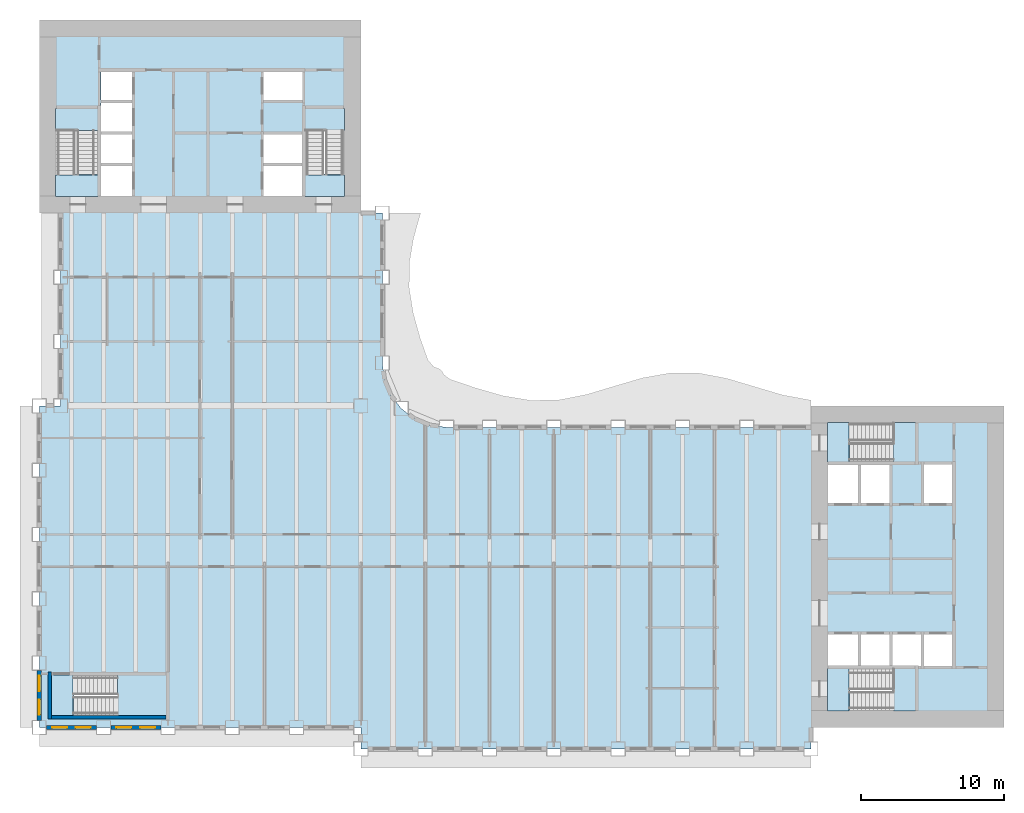
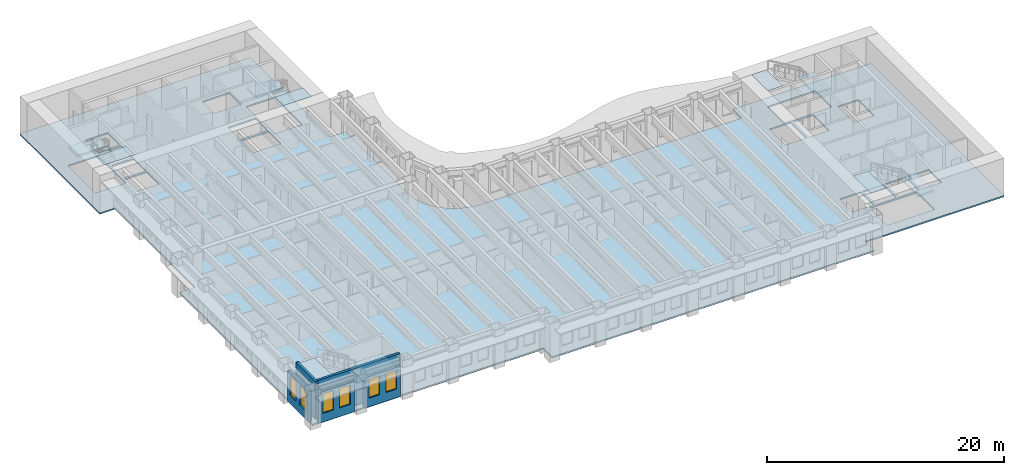
# One storey, part 2 of 16: 11 slabs, 6 windows, 5 walls, 6 openings, 5 elements without a shape of their own.
"""IFC4 building model written with IfcOpenShell, lengths in metres."""

from ifc_helpers import new_model, si_unit, direction, frame, frame_2d, origin, place, context, subcontext, project, spatial, polyline, rectangle, outline, extrude, material, layer, layer_set, type_object, element, fill, aggregate, save


model = new_model("IFC4")

# Units and contexts
model_context = context("Model", 3, precision=1e-05, world=origin(), true_north=direction((0.0, 1.0)))
body_context = subcontext(model_context, "Body", "Model", "MODEL_VIEW")
ifc_project = project(units=[si_unit("LENGTHUNIT", "METRE"), si_unit("AREAUNIT", "SQUARE_METRE"), si_unit("VOLUMEUNIT", "CUBIC_METRE"), si_unit("PLANEANGLEUNIT", "RADIAN"), si_unit("MASSUNIT", "GRAM", prefix="KILO")], contexts=[model_context])

# Site, building, storey
site_placement = place(None, origin())
site = spatial("IfcSite", under=ifc_project, at=site_placement, CompositionType="ELEMENT")
building_placement = place(site_placement, origin())
building = spatial("IfcBuilding", under=site, at=building_placement, Name="Sennacour Bend Tower", CompositionType="ELEMENT")
storey_placement = place(building_placement, frame((0.0, 0.0, 87.0)))
storey = spatial("IfcBuildingStorey", under=building, at=storey_placement, Name="L19", CompositionType="ELEMENT", Elevation=87.0)

# Slabs
ifc_material_1 = material(Name="Concrete C30/37", Category="concrete")
ifc_layer_1 = layer(ifc_material_1, 0.14990234375, Name="Concrete C30/37", Category="concrete")
ifc_layer_set_1 = layer_set([ifc_layer_1], Name="Concrete C30/37")
slab_type_1 = type_object("IfcSlabType", Name="Floor slab 150", PredefinedType="FLOOR", material=ifc_layer_set_1)
slab_1_placement = place(storey_placement, frame((0.0, 0.0, -0.14990234375)))
element("IfcSlab", 1, at=slab_1_placement, inside=storey, type_object=slab_type_1, Name="Floor slab L19-01", PredefinedType="FLOOR", context=body_context, shape_type="SweptSolid", body=[
    extrude(outline(polyline([(22.5, 0.0), (0.0, 0.0), (0.0, 22.5), (1.5, 22.5), (1.5, 36.0), (0.0, 36.0), (0.0, 49.5), (22.5, 49.5), (22.5, 36.0), (24.0, 36.0), (24.0, 25.5), (24.1533203125, 24.335205078125), (24.602783203125, 23.25), (25.318115234375, 22.318115234375), (26.25, 21.602783203125), (27.335205078125, 21.1533203125), (28.5, 21.0), (54.0, 21.0), (54.0, 22.5), (67.5, 22.5), (67.5, 0.0), (54.0, 0.0), (54.0, -1.5), (22.5, -1.5), (22.5, 0.0)]), holes=[polyline([(8.800048828125, 0.949951171875), (8.800048828125, 3.5), (2.429931640625, 3.5), (2.429931640625, 0.949951171875), (8.800048828125, 0.949951171875)]), polyline([(6.5, 37.199951171875), (6.5, 39.300048828125), (4.300048828125, 39.300048828125), (4.300048828125, 37.199951171875), (6.5, 37.199951171875)]), polyline([(18.39990234375, 37.199951171875), (18.39990234375, 39.300048828125), (15.699951171875, 39.300048828125), (15.699951171875, 37.199951171875), (18.39990234375, 37.199951171875)]), polyline([(6.5, 39.5), (6.5, 41.5), (4.300048828125, 41.5), (4.300048828125, 39.5), (6.5, 39.5)]), polyline([(18.39990234375, 39.5), (18.39990234375, 41.5), (15.699951171875, 41.5), (15.699951171875, 39.5), (18.39990234375, 39.5)]), polyline([(4.125, 38.72998046875), (4.125, 43.39990234375), (1.14990234375, 43.39990234375), (1.14990234375, 38.72998046875), (4.125, 38.72998046875)]), polyline([(21.35009765625, 38.72998046875), (21.35009765625, 43.39990234375), (18.574951171875, 43.39990234375), (18.574951171875, 38.72998046875), (21.35009765625, 38.72998046875)]), polyline([(4.300048828125, 41.699951171875), (6.5, 41.699951171875), (6.5, 43.699951171875), (4.300048828125, 43.699951171875), (4.300048828125, 41.699951171875)]), polyline([(4.300048828125, 43.89990234375), (6.5, 43.89990234375), (6.5, 45.89990234375), (4.300048828125, 45.89990234375), (4.300048828125, 43.89990234375)]), polyline([(18.39990234375, 43.89990234375), (18.39990234375, 45.89990234375), (15.699951171875, 45.89990234375), (15.699951171875, 43.89990234375), (18.39990234375, 43.89990234375)]), polyline([(61.39990234375, 1.14990234375), (61.39990234375, 4.125), (56.72998046875, 4.125), (56.72998046875, 1.14990234375), (61.39990234375, 1.14990234375)]), polyline([(57.300048828125, 4.300048828125), (57.300048828125, 6.5), (55.199951171875, 6.5), (55.199951171875, 4.300048828125), (57.300048828125, 4.300048828125)]), polyline([(57.5, 4.300048828125), (59.5, 4.300048828125), (59.5, 6.5), (57.5, 6.5), (57.5, 4.300048828125)]), polyline([(59.699951171875, 4.300048828125), (61.699951171875, 4.300048828125), (61.699951171875, 6.5), (59.699951171875, 6.5), (59.699951171875, 4.300048828125)]), polyline([(63.89990234375, 4.300048828125), (63.89990234375, 6.5), (61.89990234375, 6.5), (61.89990234375, 4.300048828125), (63.89990234375, 4.300048828125)]), polyline([(57.300048828125, 15.699951171875), (57.300048828125, 18.39990234375), (55.199951171875, 18.39990234375), (55.199951171875, 15.699951171875), (57.300048828125, 15.699951171875)]), polyline([(59.5, 15.699951171875), (59.5, 18.39990234375), (57.5, 18.39990234375), (57.5, 15.699951171875), (59.5, 15.699951171875)]), polyline([(61.89990234375, 15.699951171875), (63.89990234375, 15.699951171875), (63.89990234375, 18.39990234375), (61.89990234375, 18.39990234375), (61.89990234375, 15.699951171875)]), polyline([(56.72998046875, 18.574951171875), (61.39990234375, 18.574951171875), (61.39990234375, 21.35009765625), (56.72998046875, 21.35009765625), (56.72998046875, 18.574951171875)])]), origin(), (0.0, 0.0, 1.0), 0.14990234375),
])
ifc_material_2 = material(Name="Concrete C40/50", Category="concrete")
ifc_layer_2 = layer(ifc_material_2, 0.034912109375, Name="Concrete C40/50", Category="concrete")
ifc_layer_set_2 = layer_set([ifc_layer_2], Name="Concrete C40/50")
slab_type_2 = type_object("IfcSlabType", Name="Stair arrival nib 35", PredefinedType="FLOOR", material=ifc_layer_set_2)
slab_2_placement = place(storey_placement, frame((0.0, 0.0, 3.815185546875)))
element("IfcSlab", 2, at=slab_2_placement, inside=storey, type_object=slab_type_2, Name="L19 SA1 stair arrival nib", PredefinedType="FLOOR", context=body_context, shape_type="SweptSolid", body=[
    extrude(outline(polyline([(56.64208984375, 4.125), (55.14990234375, 4.125), (55.14990234375, 1.14990234375), (56.64208984375, 1.14990234375), (56.64208984375, 4.125)])), origin(), (0.0, 0.0, 1.0), 0.034912109375),
])
slab_3_placement = place(storey_placement, frame((0.0, 0.0, 3.815185546875)))
element("IfcSlab", 3, at=slab_3_placement, inside=storey, type_object=slab_type_2, Name="L19 SA2 stair arrival nib", PredefinedType="FLOOR", context=body_context, shape_type="SweptSolid", body=[
    extrude(outline(polyline([(56.64208984375, 21.35009765625), (55.14990234375, 21.35009765625), (55.14990234375, 18.574951171875), (56.64208984375, 18.574951171875), (56.64208984375, 21.35009765625)])), origin(), (0.0, 0.0, 1.0), 0.034912109375),
])
slab_4_placement = place(storey_placement, frame((0.0, 0.0, 3.815185546875)))
element("IfcSlab", 4, at=slab_4_placement, inside=storey, type_object=slab_type_2, Name="L19 SB1 stair arrival nib", PredefinedType="FLOOR", context=body_context, shape_type="SweptSolid", body=[
    extrude(outline(polyline([(1.14990234375, 38.64208984375), (1.14990234375, 37.14990234375), (4.125, 37.14990234375), (4.125, 38.64208984375), (1.14990234375, 38.64208984375)])), origin(), (0.0, 0.0, 1.0), 0.034912109375),
])
slab_5_placement = place(storey_placement, frame((0.0, 0.0, 3.815185546875)))
element("IfcSlab", 5, at=slab_5_placement, inside=storey, type_object=slab_type_2, Name="L19 SB2 stair arrival nib", PredefinedType="FLOOR", context=body_context, shape_type="SweptSolid", body=[
    extrude(outline(polyline([(18.574951171875, 38.64208984375), (18.574951171875, 37.14990234375), (21.35009765625, 37.14990234375), (21.35009765625, 38.64208984375), (18.574951171875, 38.64208984375)])), origin(), (0.0, 0.0, 1.0), 0.034912109375),
])
slab_6_placement = place(storey_placement, frame((0.0, 0.0, 3.815185546875)))
element("IfcSlab", 6, at=slab_6_placement, inside=storey, type_object=slab_type_2, Name="L19 SK1 stair arrival nib", PredefinedType="FLOOR", context=body_context, shape_type="SweptSolid", body=[
    extrude(outline(polyline([(2.342041015625, 3.675048828125), (0.800048828125, 3.675048828125), (0.800048828125, 0.800048828125), (2.342041015625, 0.800048828125), (2.342041015625, 3.675048828125)])), origin(), (0.0, 0.0, 1.0), 0.034912109375),
])

# Stair, slab
stair_type = type_object("IfcStairType", Name="ST-DOGLEG", PredefinedType="HALF_TURN_STAIR", material=ifc_material_2)
stair_1_placement = place(storey_placement, origin())
stair_1 = element("IfcStair", 7, at=stair_1_placement, inside=storey, type_object=stair_type, Name="L19 Exit stair A1", PredefinedType="HALF_TURN_STAIR")
ifc_layer_3 = layer(ifc_material_2, 0.199951171875, Name="Concrete C40/50", Category="concrete")
ifc_layer_set_3 = layer_set([ifc_layer_3], Name="Concrete C40/50")
slab_type_3 = type_object("IfcSlabType", Name="Stair landing 200", PredefinedType="LANDING", material=ifc_layer_set_3)
slab_7_placement = place(storey_placement, frame((0.0, 0.0, 1.800048828125)))
slab_7 = element("IfcSlab", 8, at=slab_7_placement, type_object=slab_type_3, Name="SA1 landing 1", PredefinedType="LANDING", context=body_context, shape_type="SweptSolid", body=[
    extrude(outline(polyline([(59.780029296875, 1.14990234375), (61.324951171875, 1.14990234375), (61.324951171875, 4.125), (59.780029296875, 4.125), (59.780029296875, 1.14990234375)])), origin(), (0.0, 0.0, 1.0), 0.199951171875),
])
aggregate(stair_1, [slab_7])

stair_2_placement = place(storey_placement, origin())
stair_2 = element("IfcStair", 9, at=stair_2_placement, inside=storey, type_object=stair_type, Name="L19 Exit stair A2", PredefinedType="HALF_TURN_STAIR")
slab_8_placement = place(storey_placement, frame((0.0, 0.0, 1.800048828125)))
slab_8 = element("IfcSlab", 10, at=slab_8_placement, type_object=slab_type_3, Name="SA2 landing 1", PredefinedType="LANDING", context=body_context, shape_type="SweptSolid", body=[
    extrude(outline(polyline([(59.780029296875, 18.574951171875), (61.324951171875, 18.574951171875), (61.324951171875, 21.35009765625), (59.780029296875, 21.35009765625), (59.780029296875, 18.574951171875)])), origin(), (0.0, 0.0, 1.0), 0.199951171875),
])
aggregate(stair_2, [slab_8])

stair_3_placement = place(storey_placement, origin())
stair_3 = element("IfcStair", 11, at=stair_3_placement, inside=storey, type_object=stair_type, Name="L19 Exit stair B1", PredefinedType="HALF_TURN_STAIR")
slab_9_placement = place(storey_placement, frame((0.0, 0.0, 1.800048828125)))
slab_9 = element("IfcSlab", 12, at=slab_9_placement, type_object=slab_type_3, Name="SB1 landing 1", PredefinedType="LANDING", context=body_context, shape_type="SweptSolid", body=[
    extrude(outline(polyline([(1.14990234375, 41.780029296875), (4.125, 41.780029296875), (4.125, 43.324951171875), (1.14990234375, 43.324951171875), (1.14990234375, 41.780029296875)])), origin(), (0.0, 0.0, 1.0), 0.199951171875),
])
aggregate(stair_3, [slab_9])

stair_4_placement = place(storey_placement, origin())
stair_4 = element("IfcStair", 13, at=stair_4_placement, inside=storey, type_object=stair_type, Name="L19 Exit stair B2", PredefinedType="HALF_TURN_STAIR")
slab_10_placement = place(storey_placement, frame((0.0, 0.0, 1.800048828125)))
slab_10 = element("IfcSlab", 14, at=slab_10_placement, type_object=slab_type_3, Name="SB2 landing 1", PredefinedType="LANDING", context=body_context, shape_type="SweptSolid", body=[
    extrude(outline(polyline([(18.574951171875, 41.780029296875), (21.35009765625, 41.780029296875), (21.35009765625, 43.324951171875), (18.574951171875, 43.324951171875), (18.574951171875, 41.780029296875)])), origin(), (0.0, 0.0, 1.0), 0.199951171875),
])
aggregate(stair_4, [slab_10])

stair_5_placement = place(storey_placement, origin())
stair_5 = element("IfcStair", 15, at=stair_5_placement, inside=storey, type_object=stair_type, Name="L19 Exit stair K1", PredefinedType="HALF_TURN_STAIR")
slab_11_placement = place(storey_placement, frame((0.0, 0.0, 1.800048828125)))
slab_11 = element("IfcSlab", 16, at=slab_11_placement, type_object=slab_type_3, Name="SK1 landing 1", PredefinedType="LANDING", context=body_context, shape_type="SweptSolid", body=[
    extrude(outline(polyline([(5.47998046875, 0.800048828125), (8.925048828125, 0.800048828125), (8.925048828125, 3.675048828125), (5.47998046875, 3.675048828125), (5.47998046875, 0.800048828125)])), origin(), (0.0, 0.0, 1.0), 0.199951171875),
])
aggregate(stair_5, [slab_11])

# Wall, openings, windows
ifc_material_3 = material(Name="Warm limestone cladding", Category="masonry")
ifc_layer_4 = layer(ifc_material_3, 0.050048828125, Name="Warm limestone cladding", Category="masonry")
ifc_material_4 = material(Name="Precast concrete C40/50", Category="concrete")
ifc_layer_5 = layer(ifc_material_4, 0.25, Name="Precast concrete C40/50", Category="concrete")
ifc_layer_set_4 = layer_set([ifc_layer_4, ifc_layer_5], Name="Precast concrete C40/50 with limestone cladding")
wall_type_1 = type_object("IfcWallType", Name="STONE-CLAD PRECAST SPANDREL 300", PredefinedType="STANDARD", material=ifc_layer_set_4)
wall_1_placement = place(storey_placement, frame((0.0, 4.0, 0.0), z_axis=(0.0, 0.0, 1.0), x_axis=(0.0, -1.0, 0.0)))
wall_1 = element("IfcWall", 17, at=wall_1_placement, inside=storey, type_object=wall_type_1, Name="Stone spandrel and pier wall L19 21.04", PredefinedType="STANDARD", context=body_context, shape_type="SweptSolid", body=[
    extrude(rectangle(XDim=3.5, YDim=0.300048828125, at=frame_2d((1.75, 0.0))), origin(), (0.0, 0.0, 1.0), 3.154052734375),
])
opening_1_placement = place(wall_1_placement, frame((0.39990234375, 0.0, 0.89990234375)))
opening_1 = element("IfcOpeningElement", 18, at=opening_1_placement, cuts=wall_1, Name="Opening W13", PredefinedType="OPENING", context=body_context, shape_type="SweptSolid", body=[
    extrude(rectangle(XDim=1.050048828125, YDim=2.0, at=frame_2d((0.52490234375, 1.0))), frame((0.0, 0.16015625, 0.0), z_axis=(0.0, -1.0, 0.0), x_axis=(1.0, 0.0, 0.0)), (0.0, 0.0, 1.0), 0.320068359375),
])
opening_2_placement = place(wall_1_placement, frame((2.050048828125, 0.0, 0.89990234375)))
opening_2 = element("IfcOpeningElement", 19, at=opening_2_placement, cuts=wall_1, Name="Opening W13", PredefinedType="OPENING", context=body_context, shape_type="SweptSolid", body=[
    extrude(rectangle(XDim=1.050048828125, YDim=2.0, at=frame_2d((0.52490234375, 1.0))), frame((0.0, 0.16015625, 0.0), z_axis=(0.0, -1.0, 0.0), x_axis=(1.0, 0.0, 0.0)), (0.0, 0.0, 1.0), 0.320068359375),
])
ifc_material_5 = material(Name="Clear low-emissivity glass", Category="glass")
window_type = type_object("IfcWindowType", Name="WIN-RIBBON-1050x2000", PartitioningType="SINGLE_PANEL", PredefinedType="WINDOW", material=ifc_material_5)
window_1_placement = place(opening_1_placement, origin())
window_1 = element("IfcWindow", 20, at=window_1_placement, inside=storey, type_object=window_type, Name="Ribbon window L19 21.04.0", OverallHeight=2.0, OverallWidth=1.050048828125, PartitioningType="SINGLE_PANEL", PredefinedType="WINDOW", context=body_context, shape_type="SweptSolid", body=[
    extrude(rectangle(XDim=1.050048828125, YDim=2.0, at=frame_2d((0.52490234375, 1.0))), frame((0.0, 0.030029296875, 0.0), z_axis=(0.0, -1.0, 0.0), x_axis=(1.0, 0.0, 0.0)), (0.0, 0.0, 1.0), 0.06005859375),
])
fill(opening_1, window_1)
window_2_placement = place(opening_2_placement, origin())
window_2 = element("IfcWindow", 21, at=window_2_placement, inside=storey, type_object=window_type, Name="Ribbon window L19 21.04.1", OverallHeight=2.0, OverallWidth=1.050048828125, PartitioningType="SINGLE_PANEL", PredefinedType="WINDOW", context=body_context, shape_type="SweptSolid", body=[
    extrude(rectangle(XDim=1.050048828125, YDim=2.0, at=frame_2d((0.52490234375, 1.0))), frame((0.0, 0.030029296875, 0.0), z_axis=(0.0, -1.0, 0.0), x_axis=(1.0, 0.0, 0.0)), (0.0, 0.0, 1.0), 0.06005859375),
])
fill(opening_2, window_2)

wall_2_placement = place(storey_placement, frame((0.5, 0.0, 0.0), z_axis=(0.0, 0.0, 1.0), x_axis=(1.0, 0.0, 0.0)))
wall_2 = element("IfcWall", 22, at=wall_2_placement, inside=storey, type_object=wall_type_1, Name="Stone spandrel and pier wall L19 22.00", PredefinedType="STANDARD", context=body_context, shape_type="SweptSolid", body=[
    extrude(rectangle(XDim=3.5, YDim=0.300048828125, at=frame_2d((1.75, 0.0))), origin(), (0.0, 0.0, 1.0), 3.154052734375),
])
opening_3_placement = place(wall_2_placement, frame((0.39990234375, 0.0, 0.89990234375)))
opening_3 = element("IfcOpeningElement", 23, at=opening_3_placement, cuts=wall_2, Name="Opening W13", PredefinedType="OPENING", context=body_context, shape_type="SweptSolid", body=[
    extrude(rectangle(XDim=1.050048828125, YDim=2.0, at=frame_2d((0.52490234375, 1.0))), frame((0.0, 0.16015625, 0.0), z_axis=(0.0, -1.0, 0.0), x_axis=(1.0, 0.0, 0.0)), (0.0, 0.0, 1.0), 0.320068359375),
])
opening_4_placement = place(wall_2_placement, frame((2.050048828125, 0.0, 0.89990234375)))
opening_4 = element("IfcOpeningElement", 24, at=opening_4_placement, cuts=wall_2, Name="Opening W13", PredefinedType="OPENING", context=body_context, shape_type="SweptSolid", body=[
    extrude(rectangle(XDim=1.050048828125, YDim=2.0, at=frame_2d((0.52490234375, 1.0))), frame((0.0, 0.16015625, 0.0), z_axis=(0.0, -1.0, 0.0), x_axis=(1.0, 0.0, 0.0)), (0.0, 0.0, 1.0), 0.320068359375),
])
window_3_placement = place(opening_3_placement, origin())
window_3 = element("IfcWindow", 25, at=window_3_placement, inside=storey, type_object=window_type, Name="Ribbon window L19 22.00.0", OverallHeight=2.0, OverallWidth=1.050048828125, PartitioningType="SINGLE_PANEL", PredefinedType="WINDOW", context=body_context, shape_type="SweptSolid", body=[
    extrude(rectangle(XDim=1.050048828125, YDim=2.0, at=frame_2d((0.52490234375, 1.0))), frame((0.0, 0.030029296875, 0.0), z_axis=(0.0, -1.0, 0.0), x_axis=(1.0, 0.0, 0.0)), (0.0, 0.0, 1.0), 0.06005859375),
])
fill(opening_3, window_3)
window_4_placement = place(opening_4_placement, origin())
window_4 = element("IfcWindow", 26, at=window_4_placement, inside=storey, type_object=window_type, Name="Ribbon window L19 22.00.1", OverallHeight=2.0, OverallWidth=1.050048828125, PartitioningType="SINGLE_PANEL", PredefinedType="WINDOW", context=body_context, shape_type="SweptSolid", body=[
    extrude(rectangle(XDim=1.050048828125, YDim=2.0, at=frame_2d((0.52490234375, 1.0))), frame((0.0, 0.030029296875, 0.0), z_axis=(0.0, -1.0, 0.0), x_axis=(1.0, 0.0, 0.0)), (0.0, 0.0, 1.0), 0.06005859375),
])
fill(opening_4, window_4)

wall_3_placement = place(storey_placement, frame((5.0, 0.0, 0.0), z_axis=(0.0, 0.0, 1.0), x_axis=(1.0, 0.0, 0.0)))
wall_3 = element("IfcWall", 27, at=wall_3_placement, inside=storey, type_object=wall_type_1, Name="Stone spandrel and pier wall L19 22.01", PredefinedType="STANDARD", context=body_context, shape_type="SweptSolid", body=[
    extrude(rectangle(XDim=3.5, YDim=0.300048828125, at=frame_2d((1.75, 0.0))), origin(), (0.0, 0.0, 1.0), 3.154052734375),
])
opening_5_placement = place(wall_3_placement, frame((0.39990234375, 0.0, 0.89990234375)))
opening_5 = element("IfcOpeningElement", 28, at=opening_5_placement, cuts=wall_3, Name="Opening W13", PredefinedType="OPENING", context=body_context, shape_type="SweptSolid", body=[
    extrude(rectangle(XDim=1.050048828125, YDim=2.0, at=frame_2d((0.52490234375, 1.0))), frame((0.0, 0.16015625, 0.0), z_axis=(0.0, -1.0, 0.0), x_axis=(1.0, 0.0, 0.0)), (0.0, 0.0, 1.0), 0.320068359375),
])
opening_6_placement = place(wall_3_placement, frame((2.050048828125, 0.0, 0.89990234375)))
opening_6 = element("IfcOpeningElement", 29, at=opening_6_placement, cuts=wall_3, Name="Opening W13", PredefinedType="OPENING", context=body_context, shape_type="SweptSolid", body=[
    extrude(rectangle(XDim=1.050048828125, YDim=2.0, at=frame_2d((0.52490234375, 1.0))), frame((0.0, 0.16015625, 0.0), z_axis=(0.0, -1.0, 0.0), x_axis=(1.0, 0.0, 0.0)), (0.0, 0.0, 1.0), 0.320068359375),
])
window_5_placement = place(opening_5_placement, origin())
window_5 = element("IfcWindow", 30, at=window_5_placement, inside=storey, type_object=window_type, Name="Ribbon window L19 22.01.0", OverallHeight=2.0, OverallWidth=1.050048828125, PartitioningType="SINGLE_PANEL", PredefinedType="WINDOW", context=body_context, shape_type="SweptSolid", body=[
    extrude(rectangle(XDim=1.050048828125, YDim=2.0, at=frame_2d((0.52490234375, 1.0))), frame((0.0, 0.030029296875, 0.0), z_axis=(0.0, -1.0, 0.0), x_axis=(1.0, 0.0, 0.0)), (0.0, 0.0, 1.0), 0.06005859375),
])
fill(opening_5, window_5)
window_6_placement = place(opening_6_placement, origin())
window_6 = element("IfcWindow", 31, at=window_6_placement, inside=storey, type_object=window_type, Name="Ribbon window L19 22.01.1", OverallHeight=2.0, OverallWidth=1.050048828125, PartitioningType="SINGLE_PANEL", PredefinedType="WINDOW", context=body_context, shape_type="SweptSolid", body=[
    extrude(rectangle(XDim=1.050048828125, YDim=2.0, at=frame_2d((0.52490234375, 1.0))), frame((0.0, 0.030029296875, 0.0), z_axis=(0.0, -1.0, 0.0), x_axis=(1.0, 0.0, 0.0)), (0.0, 0.0, 1.0), 0.06005859375),
])
fill(opening_6, window_6)

# Walls
ifc_material_6 = material(Name="Concrete C60/75", Category="concrete")
ifc_layer_6 = layer(ifc_material_6, 0.25, Name="Concrete C60/75", Category="concrete")
ifc_layer_set_5 = layer_set([ifc_layer_6], Name="Concrete C60/75")
wall_type_2 = type_object("IfcWallType", Name="Stair wall 250", PredefinedType="SHEAR", material=ifc_layer_set_5)
wall_4_placement = place(storey_placement, frame((0.72509765625, 0.60009765625, 0.0), z_axis=(0.0, 0.0, 1.0), x_axis=(0.0, 1.0, 0.0)))
element("IfcWall", 32, at=wall_4_placement, inside=storey, type_object=wall_type_2, Name="P-L19-W002", PredefinedType="SHEAR", context=body_context, shape_type="SweptSolid", body=[
    extrude(rectangle(XDim=3.27490234375, YDim=0.25, at=frame_2d((1.637451171875, 0.0))), origin(), (0.0, 0.0, 1.0), 3.85009765625),
])
wall_5_placement = place(storey_placement, frame((0.85009765625, 0.72509765625, 0.0), z_axis=(0.0, 0.0, 1.0), x_axis=(1.0, 0.0, 0.0)))
element("IfcWall", 33, at=wall_5_placement, inside=storey, type_object=wall_type_2, Name="P-L19-W048", PredefinedType="SHEAR", context=body_context, shape_type="SweptSolid", body=[
    extrude(rectangle(XDim=8.02490234375, YDim=0.25, at=frame_2d((4.012451171875, 0.0))), origin(), (0.0, 0.0, 1.0), 3.85009765625),
])

save(model, "model.ifc")
